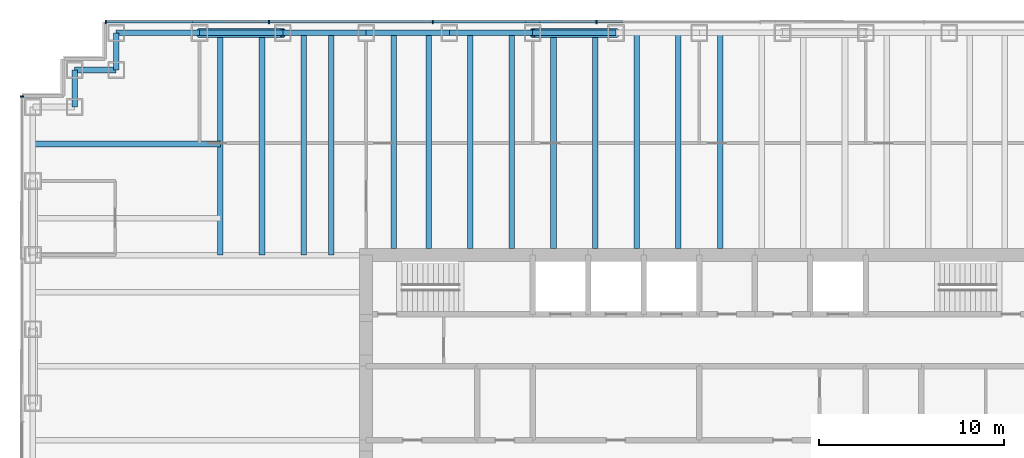
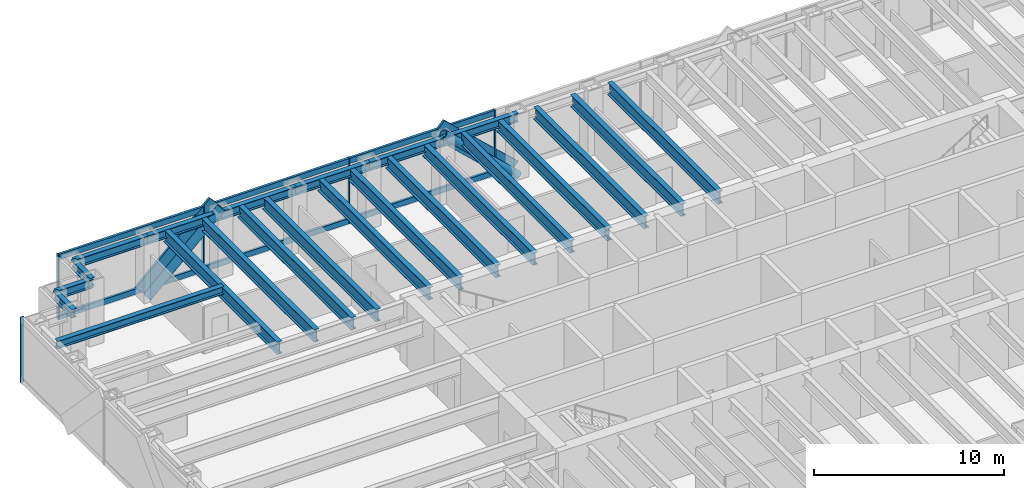
# One storey, part 6 of 15: 23 beams, 15 members, 2 elements without a shape of their own.
"""IFC4 building model written with IfcOpenShell, lengths in metres."""

from ifc_helpers import new_model, si_unit, direction, frame, origin, origin_2d, place, context, subcontext, project, spatial, rectangle, hollow_circle, i_section, extrude, material, material_profile, profile_set, type_object, element, aggregate, save


model = new_model("IFC4")

# Units and contexts
model_context = context("Model", 3, precision=1e-05, world=origin(), true_north=direction((0.0, 1.0)))
body_context = subcontext(model_context, "Body", "Model", "MODEL_VIEW")
ifc_project = project(units=[si_unit("LENGTHUNIT", "METRE"), si_unit("AREAUNIT", "SQUARE_METRE"), si_unit("VOLUMEUNIT", "CUBIC_METRE"), si_unit("PLANEANGLEUNIT", "RADIAN"), si_unit("MASSUNIT", "GRAM", prefix="KILO")], contexts=[model_context])

# Site, building, storey
site_placement = place(None, origin())
site = spatial("IfcSite", under=ifc_project, at=site_placement, CompositionType="ELEMENT")
building_placement = place(site_placement, origin())
building = spatial("IfcBuilding", under=site, at=building_placement, Name="Rheinbord Bourse Tower", CompositionType="ELEMENT")
storey_placement = place(building_placement, frame((0.0, 0.0, 279.5)))
storey = spatial("IfcBuildingStorey", under=building, at=storey_placement, Name="L63", CompositionType="ELEMENT", Elevation=279.5)

# Curtain wall, members
ifc_material_1 = material(Name="Dark glass and black aluminium", Category="aluminium")
curtain_wall_type = type_object("IfcCurtainWallType", Name="CW3 DARK GLASS CURTAIN WALL", PredefinedType="USERDEFINED", material=ifc_material_1)
curtain_wall_1_placement = place(storey_placement, origin())
curtain_wall_1 = element("IfcCurtainWall", 1, at=curtain_wall_1_placement, inside=storey, type_object=curtain_wall_type, Name="Curtain wall CW3 N L63", ObjectType="UNITISED CURTAIN WALL", PredefinedType="USERDEFINED")
ifc_material_2 = material(Name="Black anodised aluminium", Category="aluminium")
ifc_material_profile_1 = material_profile(ifc_material_2, rectangle(XDim=0.14990234375, YDim=1.10791015625, at=origin_2d()), Name="CW3 DIAGONAL MULLION 1108x150")
ifc_profile_set_1 = profile_set([ifc_material_profile_1], Name="Black anodised aluminium")
member_type_1 = type_object("IfcMemberType", Name="CW3 BLACK DIAGONAL MULLION", PredefinedType="USERDEFINED", material=ifc_profile_set_1)
member_1_placement = place(storey_placement, frame((31.5, 44.60009765625, 0.0), z_axis=(-0.73105922506, 0.0, 0.682314010889), x_axis=(0.0, -1.0, 0.0)))
member_1 = element("IfcMember", 2, at=member_1_placement, type_object=member_type_1, Name="CW3 diagonal mullion b", ObjectType="DIAGONAL MULLION", PredefinedType="USERDEFINED", context=body_context, shape_type="SweptSolid", body=[
    extrude(rectangle(XDim=0.14990234375, YDim=1.10791015625, at=origin_2d()), origin(), (0.0, 0.0, 1.0), 6.155517578125),
])
member_2_placement = place(storey_placement, frame((9.0, 44.60009765625, 0.0), z_axis=(0.73105922506, 0.0, 0.682314010889), x_axis=(0.0, 1.0, 0.0)))
member_2 = element("IfcMember", 3, at=member_2_placement, type_object=member_type_1, Name="CW3 diagonal mullion d", ObjectType="DIAGONAL MULLION", PredefinedType="USERDEFINED", context=body_context, shape_type="SweptSolid", body=[
    extrude(rectangle(XDim=0.14990234375, YDim=1.10791015625, at=origin_2d()), origin(), (0.0, 0.0, 1.0), 6.155517578125),
])
ifc_material_3 = material(Name="Black anodised aluminium", Category="aluminium")
ifc_material_profile_2 = material_profile(ifc_material_3, rectangle(XDim=0.199951171875, YDim=0.06494140625, at=origin_2d()), Name="CW3 MULLION 65x200")
ifc_profile_set_2 = profile_set([ifc_material_profile_2], Name="Black anodised aluminium")
member_type_2 = type_object("IfcMemberType", Name="CW3 BLACK MULLION", PredefinedType="MULLION", material=ifc_profile_set_2)
member_3_placement = place(storey_placement, frame((30.449951171875, 44.60009765625, 0.0), z_axis=(0.0, 0.0, 1.0), x_axis=(0.0, -1.0, 0.0)))
member_3 = element("IfcMember", 4, at=member_3_placement, type_object=member_type_2, Name="CW3 mullion 5", PredefinedType="MULLION", context=body_context, shape_type="SweptSolid", body=[
    extrude(rectangle(XDim=0.199951171875, YDim=0.06494140625, at=origin_2d()), origin(), (0.0, 0.0, 1.0), 4.199951171875),
])
member_4_placement = place(storey_placement, frame((21.60009765625, 44.60009765625, 0.0), z_axis=(0.0, 0.0, 1.0), x_axis=(0.0, -1.0, 0.0)))
member_4 = element("IfcMember", 5, at=member_4_placement, type_object=member_type_2, Name="CW3 mullion 6", PredefinedType="MULLION", context=body_context, shape_type="SweptSolid", body=[
    extrude(rectangle(XDim=0.199951171875, YDim=0.06494140625, at=origin_2d()), origin(), (0.0, 0.0, 1.0), 4.199951171875),
])
member_5_placement = place(storey_placement, frame((12.75, 44.60009765625, 0.0), z_axis=(0.0, 0.0, 1.0), x_axis=(0.0, -1.0, 0.0)))
member_5 = element("IfcMember", 6, at=member_5_placement, type_object=member_type_2, Name="CW3 mullion 7", PredefinedType="MULLION", context=body_context, shape_type="SweptSolid", body=[
    extrude(rectangle(XDim=0.199951171875, YDim=0.06494140625, at=origin_2d()), origin(), (0.0, 0.0, 1.0), 4.199951171875),
])
member_6_placement = place(storey_placement, frame((3.9326171875, 44.60009765625, 0.0), z_axis=(0.0, 0.0, 1.0), x_axis=(0.0, -1.0, 0.0)))
member_6 = element("IfcMember", 7, at=member_6_placement, type_object=member_type_2, Name="CW3 mullion 8", PredefinedType="MULLION", context=body_context, shape_type="SweptSolid", body=[
    extrude(rectangle(XDim=0.199951171875, YDim=0.06494140625, at=origin_2d()), origin(), (0.0, 0.0, 1.0), 4.199951171875),
])

# Curtain wall, member
curtain_wall_2_placement = place(storey_placement, origin())
curtain_wall_2 = element("IfcCurtainWall", 8, at=curtain_wall_2_placement, inside=storey, type_object=curtain_wall_type, Name="Curtain wall CW3 W L63", ObjectType="UNITISED CURTAIN WALL", PredefinedType="USERDEFINED")
member_7_placement = place(storey_placement, frame((-0.60009765625, 40.5673828125, 0.0), z_axis=(0.0, 0.0, 1.0), x_axis=(1.0, 0.0, 0.0)))
member_7 = element("IfcMember", 9, at=member_7_placement, type_object=member_type_2, Name="CW3 mullion 1", PredefinedType="MULLION", context=body_context, shape_type="SweptSolid", body=[
    extrude(rectangle(XDim=0.199951171875, YDim=0.06494140625, at=origin_2d()), origin(), (0.0, 0.0, 1.0), 4.199951171875),
])
aggregate(curtain_wall_2, [member_7])

# Member
ifc_material_4 = material(Name="Black anodised aluminium", Category="aluminium")
ifc_material_profile_3 = material_profile(ifc_material_4, rectangle(XDim=0.14990234375, YDim=0.35009765625, at=origin_2d()), Name="CW3 TRANSOM 350x150")
ifc_profile_set_3 = profile_set([ifc_material_profile_3], Name="Black anodised aluminium")
member_type_3 = type_object("IfcMemberType", Name="CW3 BLACK TRANSOM", PredefinedType="USERDEFINED", material=ifc_profile_set_3)
member_8_placement = place(storey_placement, frame((30.41748046875, 44.60009765625, 0.175048828125), z_axis=(-1.0, 0.0, 0.0), x_axis=(0.0, -1.0, 0.0)))
member_8 = element("IfcMember", 10, at=member_8_placement, type_object=member_type_3, Name="CW3 transom 5.1", ObjectType="TRANSOM", PredefinedType="USERDEFINED", context=body_context, shape_type="SweptSolid", body=[
    extrude(rectangle(XDim=0.14990234375, YDim=0.35009765625, at=origin_2d()), origin(), (0.0, 0.0, 1.0), 8.784912109375),
])

member_9_placement = place(storey_placement, frame((30.41748046875, 44.60009765625, 4.02490234375), z_axis=(-1.0, 0.0, 0.0), x_axis=(0.0, -1.0, 0.0)))
member_9 = element("IfcMember", 11, at=member_9_placement, type_object=member_type_3, Name="CW3 transom 5.2", ObjectType="TRANSOM", PredefinedType="USERDEFINED", context=body_context, shape_type="SweptSolid", body=[
    extrude(rectangle(XDim=0.14990234375, YDim=0.35009765625, at=origin_2d()), origin(), (0.0, 0.0, 1.0), 8.784912109375),
])

member_10_placement = place(storey_placement, frame((21.5673828125, 44.60009765625, 0.175048828125), z_axis=(-1.0, 0.0, 0.0), x_axis=(0.0, -1.0, 0.0)))
member_10 = element("IfcMember", 12, at=member_10_placement, type_object=member_type_3, Name="CW3 transom 6.1", ObjectType="TRANSOM", PredefinedType="USERDEFINED", context=body_context, shape_type="SweptSolid", body=[
    extrude(rectangle(XDim=0.14990234375, YDim=0.35009765625, at=origin_2d()), origin(), (0.0, 0.0, 1.0), 8.784912109375),
])

member_11_placement = place(storey_placement, frame((21.5673828125, 44.60009765625, 4.02490234375), z_axis=(-1.0, 0.0, 0.0), x_axis=(0.0, -1.0, 0.0)))
member_11 = element("IfcMember", 13, at=member_11_placement, type_object=member_type_3, Name="CW3 transom 6.2", ObjectType="TRANSOM", PredefinedType="USERDEFINED", context=body_context, shape_type="SweptSolid", body=[
    extrude(rectangle(XDim=0.14990234375, YDim=0.35009765625, at=origin_2d()), origin(), (0.0, 0.0, 1.0), 8.784912109375),
])

member_12_placement = place(storey_placement, frame((12.717529296875, 44.60009765625, 0.175048828125), z_axis=(-1.0, 0.0, 0.0), x_axis=(0.0, -1.0, 0.0)))
member_12 = element("IfcMember", 14, at=member_12_placement, type_object=member_type_3, Name="CW3 transom 7.1", ObjectType="TRANSOM", PredefinedType="USERDEFINED", context=body_context, shape_type="SweptSolid", body=[
    extrude(rectangle(XDim=0.14990234375, YDim=0.35009765625, at=origin_2d()), origin(), (0.0, 0.0, 1.0), 8.75244140625),
])

member_13_placement = place(storey_placement, frame((12.717529296875, 44.60009765625, 4.02490234375), z_axis=(-1.0, 0.0, 0.0), x_axis=(0.0, -1.0, 0.0)))
member_13 = element("IfcMember", 15, at=member_13_placement, type_object=member_type_3, Name="CW3 transom 7.2", ObjectType="TRANSOM", PredefinedType="USERDEFINED", context=body_context, shape_type="SweptSolid", body=[
    extrude(rectangle(XDim=0.14990234375, YDim=0.35009765625, at=origin_2d()), origin(), (0.0, 0.0, 1.0), 8.75244140625),
])

aggregate(curtain_wall_1, [member_3, member_4, member_5, member_6, member_8, member_9, member_10, member_11, member_12, member_13, member_1, member_2])

# Beams
ifc_material_5 = material(Name="Steel S460", Category="steel")
ifc_material_profile_4 = material_profile(ifc_material_5, i_section(OverallWidth=0.300048828125, OverallDepth=0.800048828125, WebThickness=0.017578125, FlangeThickness=0.032958984375, at=origin_2d()), Name="HEB 800")
ifc_profile_set_4 = profile_set([ifc_material_profile_4], Name="Steel S460")
beam_type_1 = type_object("IfcBeamType", Name="FLOOR BEAM HEB 800", PredefinedType="BEAM", material=ifc_profile_set_4)
for number, where, z_axis, x_axis, name in (
    (16, (10.125, 44.0, 3.639892578125), (0.0, -1.0, 0.0), (1.0, 0.0, 0.0), "Floor beam N-9a L64"),
    (17, (12.375, 44.0, 3.639892578125), (0.0, -1.0, 0.0), (1.0, 0.0, 0.0), "Floor beam N-9b L64"),
    (18, (14.625, 44.0, 3.639892578125), (0.0, -1.0, 0.0), (1.0, 0.0, 0.0), "Floor beam N-13.5a L64"),
    (19, (16.125, 44.0, 3.639892578125), (0.0, -1.0, 0.0), (1.0, 0.0, 0.0), "Floor beam N-13.5b L64"),
):
    element("IfcBeam", number, at=place(storey_placement, frame(where, z_axis=z_axis, x_axis=x_axis)), inside=storey, type_object=beam_type_1, Name=name, PredefinedType="BEAM", context=body_context, shape_type="SweptSolid", body=[
        extrude(i_section(OverallWidth=0.300048828125, OverallDepth=0.800048828125, WebThickness=0.017578125, FlangeThickness=0.032958984375, at=origin_2d()), origin(), (0.0, 0.0, 1.0), 12.0),
    ])
for number, where, z_axis, x_axis, name in (
    (20, (19.5, 44.0, 3.639892578125), (0.0, -1.0, 0.0), (1.0, 0.0, 0.0), "Floor beam N-18a L64"),
    (21, (21.375, 44.0, 3.639892578125), (0.0, -1.0, 0.0), (1.0, 0.0, 0.0), "Floor beam N-18b L64"),
    (22, (23.625, 44.0, 3.639892578125), (0.0, -1.0, 0.0), (1.0, 0.0, 0.0), "Floor beam N-22.5a L64"),
    (23, (25.875, 44.0, 3.639892578125), (0.0, -1.0, 0.0), (1.0, 0.0, 0.0), "Floor beam N-22.5b L64"),
    (24, (28.125, 44.0, 3.639892578125), (0.0, -1.0, 0.0), (1.0, 0.0, 0.0), "Floor beam N-27a L64"),
    (25, (30.375, 44.0, 3.639892578125), (0.0, -1.0, 0.0), (1.0, 0.0, 0.0), "Floor beam N-27b L64"),
    (26, (32.625, 44.0, 3.639892578125), (0.0, -1.0, 0.0), (1.0, 0.0, 0.0), "Floor beam N-31.5a L64"),
    (27, (34.875, 44.0, 3.639892578125), (0.0, -1.0, 0.0), (1.0, 0.0, 0.0), "Floor beam N-31.5b L64"),
    (28, (37.125, 44.0, 3.639892578125), (0.0, -1.0, 0.0), (1.0, 0.0, 0.0), "Floor beam N-36a L64"),
):
    element("IfcBeam", number, at=place(storey_placement, frame(where, z_axis=z_axis, x_axis=x_axis)), inside=storey, type_object=beam_type_1, Name=name, PredefinedType="BEAM", context=body_context, shape_type="SweptSolid", body=[
        extrude(i_section(OverallWidth=0.300048828125, OverallDepth=0.800048828125, WebThickness=0.017578125, FlangeThickness=0.032958984375, at=origin_2d()), origin(), (0.0, 0.0, 1.0), 11.64990234375),
    ])

# Members
ifc_material_6 = material(Name="Steel S460", Category="steel")
ifc_material_profile_5 = material_profile(ifc_material_6, hollow_circle(Radius=0.25390625, WallThickness=0.030029296875, at=origin_2d()), Name="CHS 508x30")
ifc_profile_set_5 = profile_set([ifc_material_profile_5], Name="Steel S460")
member_type_4 = type_object("IfcMemberType", Name="MEGABRACE CHS 508x30", PredefinedType="BRACE", material=ifc_profile_set_5)
for number, where, z_axis, x_axis, name in (
    (29, (31.5, 44.0, 0.0), (-0.73105922506, 0.0, 0.682314010889), (0.0, -1.0, 0.0), "Megabrace N face line b L63"),
    (30, (9.0, 44.0, 0.0), (0.73105922506, 0.0, 0.682314010889), (0.0, 1.0, 0.0), "Megabrace N face line d L63"),
):
    element("IfcMember", number, at=place(storey_placement, frame(where, z_axis=z_axis, x_axis=x_axis)), inside=storey, type_object=member_type_4, Name=name, PredefinedType="BRACE", context=body_context, shape_type="SweptSolid", body=[
        extrude(hollow_circle(Radius=0.25390625, WallThickness=0.030029296875, at=origin_2d()), origin(), (0.0, 0.0, 1.0), 6.155517578125),
    ])

# Beams
ifc_material_7 = material(Name="Steel S460", Category="steel")
ifc_material_profile_6 = material_profile(ifc_material_7, i_section(OverallWidth=0.300048828125, OverallDepth=0.550048828125, WebThickness=0.014892578125, FlangeThickness=0.029052734375, at=origin_2d()), Name="HEB 550")
ifc_profile_set_6 = profile_set([ifc_material_profile_6], Name="Steel S460")
beam_type_2 = type_object("IfcBeamType", Name="SPANDREL HEB 550", PredefinedType="SPANDREL", material=ifc_profile_set_6)
for number, where, z_axis, x_axis, name in (
    (31, (31.5, 44.0, 3.764892578125), (-1.0, 0.0, 0.0), (0.0, -1.0, 0.0), "Spandrel N-31.5-N-27 under L64"),
    (32, (27.0, 44.0, 3.764892578125), (-1.0, 0.0, 0.0), (0.0, -1.0, 0.0), "Spandrel N-27-N-22.5 under L64"),
    (33, (22.5, 44.0, 3.764892578125), (-1.0, 0.0, 0.0), (0.0, -1.0, 0.0), "Spandrel N-22.5-N-18 under L64"),
    (34, (18.0, 44.0, 3.764892578125), (-1.0, 0.0, 0.0), (0.0, -1.0, 0.0), "Spandrel N-18-N-13.5 under L64"),
    (35, (13.5, 44.0, 3.764892578125), (-1.0, 0.0, 0.0), (0.0, -1.0, 0.0), "Spandrel N-13.5-N-9 under L64"),
    (36, (9.0, 44.0, 3.764892578125), (-1.0, 0.0, 0.0), (0.0, -1.0, 0.0), "Spandrel N-9-NW-E under L64"),
):
    element("IfcBeam", number, at=place(storey_placement, frame(where, z_axis=z_axis, x_axis=x_axis)), inside=storey, type_object=beam_type_2, Name=name, PredefinedType="SPANDREL", context=body_context, shape_type="SweptSolid", body=[
        extrude(i_section(OverallWidth=0.300048828125, OverallDepth=0.550048828125, WebThickness=0.014892578125, FlangeThickness=0.029052734375, at=origin_2d()), origin(), (0.0, 0.0, 1.0), 4.5),
    ])
beam_1_placement = place(storey_placement, frame((4.5, 44.0, 3.764892578125), z_axis=(0.0, -1.0, 0.0), x_axis=(1.0, 0.0, 0.0)))
element("IfcBeam", 37, at=beam_1_placement, inside=storey, type_object=beam_type_2, Name="Spandrel NW-E-NW-D under L64", PredefinedType="SPANDREL", context=body_context, shape_type="SweptSolid", body=[
    extrude(i_section(OverallWidth=0.300048828125, OverallDepth=0.550048828125, WebThickness=0.014892578125, FlangeThickness=0.029052734375, at=origin_2d()), origin(), (0.0, 0.0, 1.0), 2.0),
])
beam_2_placement = place(storey_placement, frame((4.5, 42.0, 3.764892578125), z_axis=(-1.0, 0.0, 0.0), x_axis=(0.0, -1.0, 0.0)))
element("IfcBeam", 38, at=beam_2_placement, inside=storey, type_object=beam_type_2, Name="Spandrel NW-D-NW-C under L64", PredefinedType="SPANDREL", context=body_context, shape_type="SweptSolid", body=[
    extrude(i_section(OverallWidth=0.300048828125, OverallDepth=0.550048828125, WebThickness=0.014892578125, FlangeThickness=0.029052734375, at=origin_2d()), origin(), (0.0, 0.0, 1.0), 2.25),
])
beam_3_placement = place(storey_placement, frame((2.25, 42.0, 3.764892578125), z_axis=(0.0, -1.0, 0.0), x_axis=(1.0, 0.0, 0.0)))
element("IfcBeam", 39, at=beam_3_placement, inside=storey, type_object=beam_type_2, Name="Spandrel NW-C-NW-B under L64", PredefinedType="SPANDREL", context=body_context, shape_type="SweptSolid", body=[
    extrude(i_section(OverallWidth=0.300048828125, OverallDepth=0.550048828125, WebThickness=0.014892578125, FlangeThickness=0.029052734375, at=origin_2d()), origin(), (0.0, 0.0, 1.0), 2.0),
])
ifc_material_8 = material(Name="Steel S460", Category="steel")
ifc_material_profile_7 = material_profile(ifc_material_8, i_section(OverallWidth=0.300048828125, OverallDepth=0.5, WebThickness=0.014404296875, FlangeThickness=0.028076171875, at=origin_2d()), Name="HEB 500")
ifc_profile_set_7 = profile_set([ifc_material_profile_7], Name="Steel S460")
beam_type_3 = type_object("IfcBeamType", Name="TIE BEAM HEB 500", PredefinedType="JOIST", material=ifc_profile_set_7)
beam_4_placement = place(storey_placement, frame((0.0, 38.0, 3.7900390625), z_axis=(1.0, 0.0, 0.0), x_axis=(0.0, 1.0, 0.0)))
element("IfcBeam", 40, at=beam_4_placement, inside=storey, type_object=beam_type_3, Name="Tie west 38 L64", PredefinedType="JOIST", context=body_context, shape_type="SweptSolid", body=[
    extrude(i_section(OverallWidth=0.300048828125, OverallDepth=0.5, WebThickness=0.014404296875, FlangeThickness=0.028076171875, at=origin_2d()), origin(), (0.0, 0.0, 1.0), 10.125),
])

save(model, "model.ifc")
